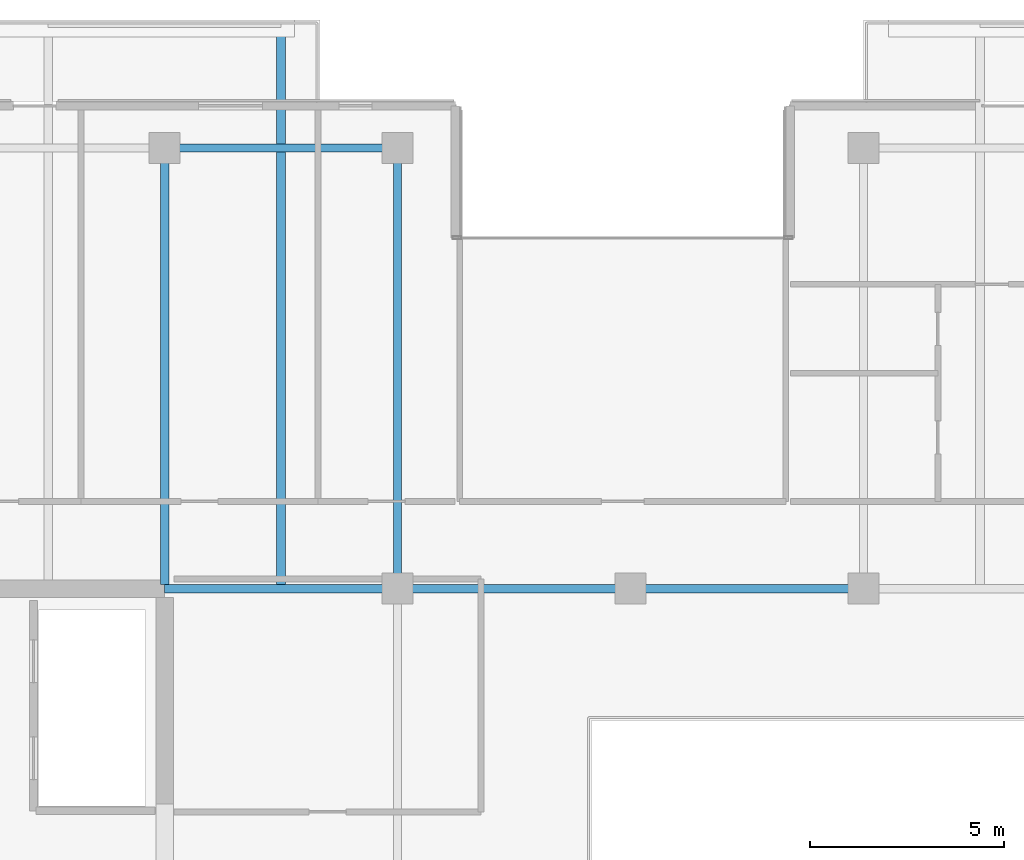
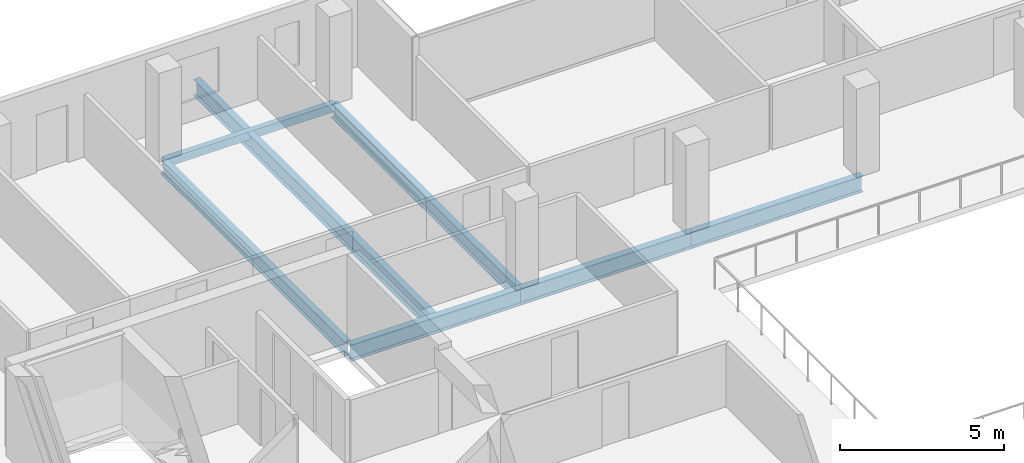
# One storey, part 9 of 29: 7 beams.
"""IFC4 building model written with IfcOpenShell, lengths in metres."""

from ifc_helpers import new_model, si_unit, direction, frame, origin, origin_2d, place, context, subcontext, project, spatial, hollow_rectangle, i_section, extrude, material, material_profile, profile_set, type_object, element, save


model = new_model("IFC4")

# Units and contexts
model_context = context("Model", 3, precision=1e-05, world=origin(), true_north=direction((0.0, 1.0)))
body_context = subcontext(model_context, "Body", "Model", "MODEL_VIEW")
ifc_project = project(units=[si_unit("LENGTHUNIT", "METRE"), si_unit("AREAUNIT", "SQUARE_METRE"), si_unit("VOLUMEUNIT", "CUBIC_METRE"), si_unit("PLANEANGLEUNIT", "RADIAN"), si_unit("MASSUNIT", "GRAM", prefix="KILO")], contexts=[model_context])

# Site, building, storey
site_placement = place(None, origin())
site = spatial("IfcSite", under=ifc_project, at=site_placement, CompositionType="ELEMENT")
building_placement = place(site_placement, origin())
building = spatial("IfcBuilding", under=site, at=building_placement, Name="Tanjung Sevakor Pilgrim Tower", CompositionType="ELEMENT")
storey_placement = place(building_placement, frame((0.0, 0.0, 188.429931640625)))
storey = spatial("IfcBuildingStorey", under=building, at=storey_placement, Name="L52", CompositionType="ELEMENT", Elevation=188.429931640625)

# Beams
ifc_material_1 = material(Name="Steel S355J2", Category="steel")
ifc_material_profile_1 = material_profile(ifc_material_1, i_section(OverallWidth=0.22900390625, OverallDepth=0.6123046875, WebThickness=0.011962890625, FlangeThickness=0.01953125, FilletRadius=0.0126953125, at=origin_2d()))
ifc_profile_set_1 = profile_set([ifc_material_profile_1], Name="Steel S355J2")
beam_type_1 = type_object("IfcBeamType", Name="BM-B-G4-UB_610x229x125", PredefinedType="BEAM", material=ifc_profile_set_1)
for number, where, z_axis, x_axis, name in (
    (1, (36.0, 42.60009765625, -0.526123046875), (1.0, 0.0, 0.0), (0.0, 1.0, 0.0), "L52 Primary Floor Girder MAIN Y426-02"),
    (2, (42.0, 42.60009765625, -0.526123046875), (1.0, 0.0, 0.0), (0.0, 1.0, 0.0), "L52 Primary Floor Girder MAIN Y426-03"),
    (3, (48.0, 42.60009765625, -0.526123046875), (1.0, 0.0, 0.0), (0.0, 1.0, 0.0), "L52 Primary Floor Girder MAIN Y426-04"),
):
    element("IfcBeam", number, at=place(storey_placement, frame(where, z_axis=z_axis, x_axis=x_axis)), inside=storey, type_object=beam_type_1, Name=name, PredefinedType="BEAM", context=body_context, shape_type="SweptSolid", body=[
        extrude(i_section(OverallWidth=0.22900390625, OverallDepth=0.6123046875, WebThickness=0.011962890625, FlangeThickness=0.01953125, FilletRadius=0.0126953125, at=origin_2d()), origin(), (0.0, 0.0, 1.0), 6.0),
    ])
beam_1_placement = place(storey_placement, frame((39.0, 42.714599609375, -0.526123046875), z_axis=(0.0, 1.0, 0.0), x_axis=(-1.0, 0.0, 0.0)))
element("IfcBeam", 4, at=beam_1_placement, inside=storey, type_object=beam_type_1, Name="L52 Balcony Cantilever Beam MAIN-N1-2", PredefinedType="BEAM", context=body_context, shape_type="SweptSolid", body=[
    extrude(i_section(OverallWidth=0.22900390625, OverallDepth=0.6123046875, WebThickness=0.011962890625, FlangeThickness=0.01953125, FilletRadius=0.0126953125, at=origin_2d()), origin(), (0.0, 0.0, 1.0), 14.415283203125),
])
ifc_material_2 = material(Name="Steel S355J2", Category="steel")
ifc_material_profile_2 = material_profile(ifc_material_2, i_section(OverallWidth=0.2119140625, OverallDepth=0.54443359375, WebThickness=0.0126953125, FlangeThickness=0.021240234375, FilletRadius=0.0126953125, at=origin_2d()))
ifc_profile_set_2 = profile_set([ifc_material_profile_2], Name="Steel S355J2")
beam_type_2 = type_object("IfcBeamType", Name="BM-B-G5-UB_533x210x122", PredefinedType="BEAM", material=ifc_profile_set_2)
beam_2_placement = place(storey_placement, frame((36.0, 42.714599609375, -0.4921875), z_axis=(0.0, 1.0, 0.0), x_axis=(-1.0, 0.0, 0.0)))
element("IfcBeam", 5, at=beam_2_placement, inside=storey, type_object=beam_type_2, Name="L52 MAIN Girder 004", PredefinedType="BEAM", context=body_context, shape_type="SweptSolid", body=[
    extrude(i_section(OverallWidth=0.2119140625, OverallDepth=0.54443359375, WebThickness=0.0126953125, FlangeThickness=0.021240234375, FilletRadius=0.0126953125, at=origin_2d()), origin(), (0.0, 0.0, 1.0), 11.2353515625),
])
beam_3_placement = place(storey_placement, frame((42.0, 42.60009765625, -0.4921875), z_axis=(0.0, 1.0, 0.0), x_axis=(-1.0, 0.0, 0.0)))
element("IfcBeam", 6, at=beam_3_placement, inside=storey, type_object=beam_type_2, Name="L52 MAIN Girder 007", PredefinedType="BEAM", context=body_context, shape_type="SweptSolid", body=[
    extrude(i_section(OverallWidth=0.2119140625, OverallDepth=0.54443359375, WebThickness=0.0126953125, FlangeThickness=0.021240234375, FilletRadius=0.0126953125, at=origin_2d()), origin(), (0.0, 0.0, 1.0), 11.349853515625),
])
ifc_material_3 = material(Name="Steel S355J2", Category="steel")
ifc_material_profile_3 = material_profile(ifc_material_3, hollow_rectangle(XDim=0.199951171875, YDim=0.300048828125, WallThickness=0.012451171875, at=origin_2d()))
ifc_profile_set_3 = profile_set([ifc_material_profile_3], Name="Steel S355J2")
beam_type_3 = type_object("IfcBeamType", Name="BM-B-SP3-RHS_300x200x12.5", PredefinedType="SPANDREL", material=ifc_profile_set_3)
beam_4_placement = place(storey_placement, frame((36.0, 53.949951171875, -0.369873046875), z_axis=(1.0, 0.0, 0.0), x_axis=(0.0, 1.0, 0.0)))
element("IfcBeam", 7, at=beam_4_placement, inside=storey, type_object=beam_type_3, Name="L52 Spandrel MAIN N-04", PredefinedType="SPANDREL", context=body_context, shape_type="SweptSolid", body=[
    extrude(hollow_rectangle(XDim=0.199951171875, YDim=0.300048828125, WallThickness=0.012451171875, at=origin_2d()), origin(), (0.0, 0.0, 1.0), 6.0),
])

save(model, "model.ifc")
